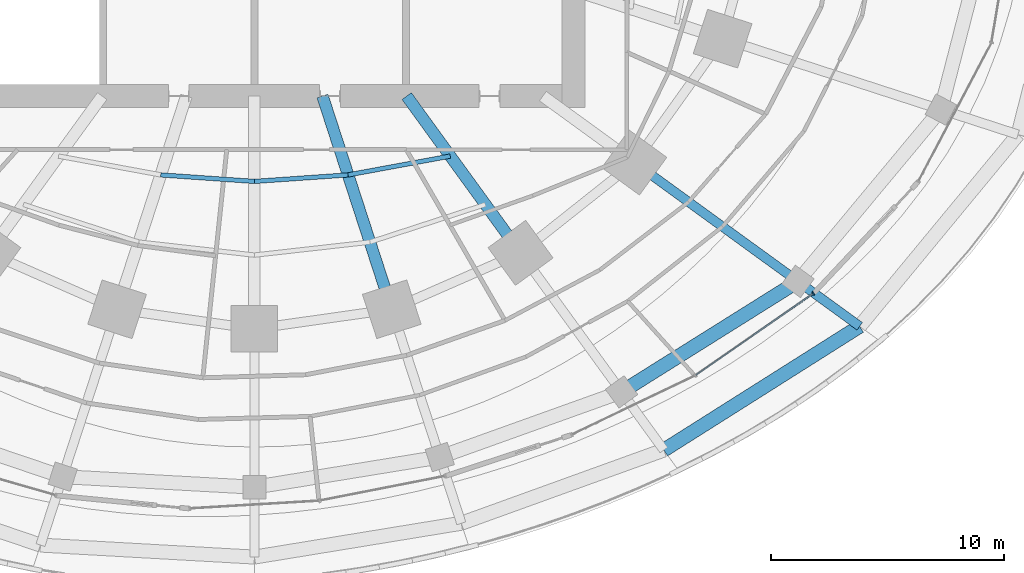
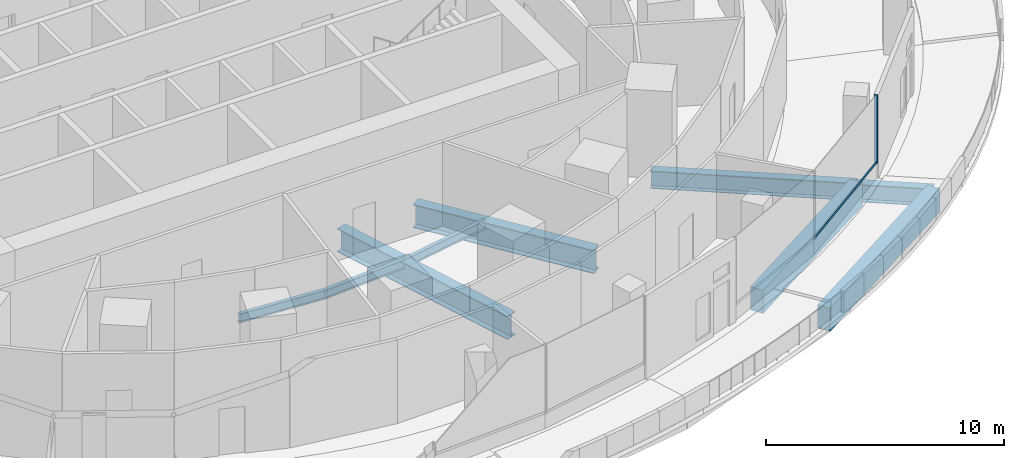
# One storey, part 6 of 26: 9 beams, 2 members, 1 element without a shape of its own.
"""IFC4 building model written with IfcOpenShell, lengths in metres."""

from ifc_helpers import new_model, si_unit, direction, frame, origin, origin_2d, place, context, subcontext, project, spatial, rectangle, i_section, extrude, material, material_profile, profile_set, type_object, element, aggregate, save


model = new_model("IFC4")

# Units and contexts
model_context = context("Model", 3, precision=1e-05, world=origin(), true_north=direction((0.0, 1.0)))
body_context = subcontext(model_context, "Body", "Model", "MODEL_VIEW")
ifc_project = project(units=[si_unit("LENGTHUNIT", "METRE"), si_unit("AREAUNIT", "SQUARE_METRE"), si_unit("VOLUMEUNIT", "CUBIC_METRE"), si_unit("PLANEANGLEUNIT", "RADIAN"), si_unit("MASSUNIT", "GRAM", prefix="KILO")], contexts=[model_context])

# Site, building, storey
site_placement = place(None, origin())
site = spatial("IfcSite", under=ifc_project, at=site_placement, CompositionType="ELEMENT")
building_placement = place(site_placement, origin())
building = spatial("IfcBuilding", under=site, at=building_placement, Name="Marramba Exchange Tower", CompositionType="ELEMENT")
storey_placement = place(building_placement, frame((0.0, 0.0, 15.10009765625)))
storey = spatial("IfcBuildingStorey", under=building, at=storey_placement, Name="L03", CompositionType="ELEMENT", Elevation=15.10009765625)

# Beams
ifc_material_1 = material(Name="Concrete N50", Category="concrete")
ifc_material_profile_1 = material_profile(ifc_material_1, rectangle(XDim=0.60009765625, YDim=1.199951171875, at=origin_2d()), Name="RC 600x1200")
ifc_profile_set_1 = profile_set([ifc_material_profile_1], Name="Concrete N50")
beam_type_1 = type_object("IfcBeamType", Name="Edge beam RC 600x1200 N50", PredefinedType="SPANDREL", material=ifc_profile_set_1)
beam_1_placement = place(storey_placement, frame((17.585205078125, -24.203857421875, -0.85009765625), z_axis=(0.845320367889, 0.534259745473, 0.0), x_axis=(-0.534259745473, 0.845320367889, 0.0)))
element("IfcBeam", 1, at=beam_1_placement, inside=storey, type_object=beam_type_1, Name="Edge beam L03 P2C18", PredefinedType="SPANDREL", context=body_context, shape_type="SweptSolid", body=[
    extrude(rectangle(XDim=0.60009765625, YDim=1.199951171875, at=origin_2d()), origin(), (0.0, 0.0, 1.0), 9.950439453125),
])
beam_2_placement = place(storey_placement, frame((15.769775390625, -21.705078125, -0.800048828125), z_axis=(0.847342315291, 0.531047079567, 0.0), x_axis=(-0.531047079567, 0.847342315291, 0.0)))
element("IfcBeam", 2, at=beam_2_placement, inside=storey, type_object=beam_type_1, Name="Edge beam L03 P3C18", PredefinedType="SPANDREL", context=body_context, shape_type="SweptSolid", body=[
    extrude(rectangle(XDim=0.60009765625, YDim=1.199951171875, at=origin_2d()), origin(), (0.0, 0.0, 1.0), 8.936767578125),
])
ifc_material_2 = material(Name="Steel AS/NZS 3679.1 grade 300", Category="steel")
ifc_material_profile_2 = material_profile(ifc_material_2, i_section(OverallWidth=0.18994140625, OverallDepth=0.4541015625, WebThickness=0.008544921875, FlangeThickness=0.0126953125, FilletRadius=0.011474609375, at=origin_2d()), Name="460UB67.1")
ifc_profile_set_2 = profile_set([ifc_material_profile_2], Name="Steel AS/NZS 3679.1 grade 300")
beam_type_2 = type_object("IfcBeamType", Name="Floor joist 460UB67.1", PredefinedType="JOIST", material=ifc_profile_set_2)
for number, where, z_axis, x_axis, name in (
    (3, (-4.0244140625, -12.3857421875, -0.427001953125), (0.99759625901, -0.069294328838, 0.0), (0.069294328838, 0.99759625901, 0.0), "Joist L03 bay 15 row 1"),
    (4, (0.0, -12.665283203125, -0.427001953125), (0.99759625901, 0.069294328838, 0.0), (-0.069294328838, 0.99759625901, 0.0), "Joist L03 bay 16 row 1"),
):
    element("IfcBeam", number, at=place(storey_placement, frame(where, z_axis=z_axis, x_axis=x_axis)), inside=storey, type_object=beam_type_2, Name=name, PredefinedType="JOIST", context=body_context, shape_type="SweptSolid", body=[
        extrude(i_section(OverallWidth=0.18994140625, OverallDepth=0.4541015625, WebThickness=0.008544921875, FlangeThickness=0.0126953125, FilletRadius=0.011474609375, at=origin_2d()), origin(), (0.0, 0.0, 1.0), 4.0341796875),
    ])
beam_3_placement = place(storey_placement, frame((4.0244140625, -12.3857421875, -0.427001953125), z_axis=(0.983455754421, 0.181148500119, 0.0), x_axis=(-0.181148500119, 0.983455754421, 0.0)))
element("IfcBeam", 5, at=beam_3_placement, inside=storey, type_object=beam_type_2, Name="Joist L03 bay 17 row 1", PredefinedType="JOIST", context=body_context, shape_type="SweptSolid", body=[
    extrude(i_section(OverallWidth=0.18994140625, OverallDepth=0.4541015625, WebThickness=0.008544921875, FlangeThickness=0.0126953125, FilletRadius=0.011474609375, at=origin_2d()), origin(), (0.0, 0.0, 1.0), 4.4609375),
])

# Curtain wall, members
ifc_material_3 = material(Name="Aluminium framing, bronze anodised", Category="aluminium")
curtain_wall_type = type_object("IfcCurtainWallType", Name="Podium ribbon curtain wall", PredefinedType="USERDEFINED", material=ifc_material_3)
curtain_wall_placement = place(storey_placement, origin())
curtain_wall = element("IfcCurtainWall", 6, at=curtain_wall_placement, inside=storey, type_object=curtain_wall_type, Name="Curtain wall CW2 L03 F26-F27", ObjectType="RIBBON CURTAIN WALL", PredefinedType="USERDEFINED")
ifc_material_4 = material(Name="Aluminium mullion, bronze anodised", Category="aluminium")
ifc_material_profile_3 = material_profile(ifc_material_4, rectangle(XDim=0.159912109375, YDim=0.06005859375, at=origin_2d()), Name="CW2 mullion 60x160")
ifc_profile_set_3 = profile_set([ifc_material_profile_3], Name="Aluminium mullion, bronze anodised")
member_type_1 = type_object("IfcMemberType", Name="Podium ribbon curtain wall mullion", PredefinedType="MULLION", material=ifc_profile_set_3)
member_1_placement = place(storey_placement, frame((24.00537109375, -17.475830078125, 0.7998046875), z_axis=(0.0, 0.0, 1.0), x_axis=(-0.570586233321, 0.821237694181, 0.0)))
member_1 = element("IfcMember", 7, at=member_1_placement, type_object=member_type_1, Name="CW2 mullion 2", PredefinedType="MULLION", context=body_context, shape_type="SweptSolid", body=[
    extrude(rectangle(XDim=0.159912109375, YDim=0.06005859375, at=origin_2d()), origin(), (0.0, 0.0, 1.0), 3.5),
])
ifc_material_5 = material(Name="Aluminium transom, bronze anodised", Category="aluminium")
ifc_material_profile_4 = material_profile(ifc_material_5, rectangle(XDim=0.06005859375, YDim=0.1201171875, at=origin_2d()), Name="CW2 transom 60x120")
ifc_profile_set_4 = profile_set([ifc_material_profile_4], Name="Aluminium transom, bronze anodised")
member_type_2 = type_object("IfcMemberType", Name="Podium ribbon curtain wall transom", PredefinedType="USERDEFINED", material=ifc_profile_set_4)
member_2_placement = place(storey_placement, frame((18.96728515625, -20.976318359375, 0.829833984375), z_axis=(0.821227856491, 0.570600392326, 0.0), x_axis=(-0.570600392326, 0.821227856491, 0.0)))
member_2 = element("IfcMember", 8, at=member_2_placement, type_object=member_type_2, Name="CW2 sill transom", ObjectType="TRANSOM", PredefinedType="USERDEFINED", context=body_context, shape_type="SweptSolid", body=[
    extrude(rectangle(XDim=0.06005859375, YDim=0.1201171875, at=origin_2d()), origin(), (0.0, 0.0, 1.0), 6.104736328125),
])
aggregate(curtain_wall, [member_1, member_2])

# Beams
ifc_material_6 = material(Name="Steel AS/NZS 3679.2 grade 300", Category="steel")
ifc_material_profile_5 = material_profile(ifc_material_6, i_section(OverallWidth=0.5, OverallDepth=1.199951171875, WebThickness=0.01611328125, FlangeThickness=0.0400390625, at=origin_2d()), Name="1200WB455")
ifc_profile_set_5 = profile_set([ifc_material_profile_5], Name="Steel AS/NZS 3679.2 grade 300")
beam_type_3 = type_object("IfcBeamType", Name="Radial girder 1200WB455", PredefinedType="BEAM", material=ifc_profile_set_5)
beam_4_placement = place(storey_placement, frame((2.92431640625, -9.0, -0.800048828125), z_axis=(0.309022428985, -0.951054750466, 0.0), x_axis=(0.951054750466, 0.309022428985, 0.0)))
element("IfcBeam", 9, at=beam_4_placement, inside=storey, type_object=beam_type_3, Name="Radial girder L03 TC17", PredefinedType="BEAM", context=body_context, shape_type="SweptSolid", body=[
    extrude(i_section(OverallWidth=0.5, OverallDepth=1.199951171875, WebThickness=0.01611328125, FlangeThickness=0.0400390625, at=origin_2d()), origin(), (0.0, 0.0, 1.0), 9.628173828125),
])
beam_5_placement = place(storey_placement, frame((6.538818359375, -9.0, -0.800048828125), z_axis=(0.587787877172, -0.809015087282, 0.0), x_axis=(0.809015087282, 0.587787877172, 0.0)))
element("IfcBeam", 10, at=beam_5_placement, inside=storey, type_object=beam_type_3, Name="Radial girder L03 TC18", PredefinedType="BEAM", context=body_context, shape_type="SweptSolid", body=[
    extrude(i_section(OverallWidth=0.5, OverallDepth=1.199951171875, WebThickness=0.01611328125, FlangeThickness=0.0400390625, at=origin_2d()), origin(), (0.0, 0.0, 1.0), 8.322021484375),
])
ifc_material_profile_6 = material_profile(ifc_material_6, i_section(OverallWidth=0.39990234375, OverallDepth=0.89990234375, WebThickness=0.01611328125, FlangeThickness=0.031982421875, at=origin_2d()), Name="900WB282")
ifc_profile_set_6 = profile_set([ifc_material_profile_6], Name="Steel AS/NZS 3679.2 grade 300")
beam_type_4 = type_object("IfcBeamType", Name="Radial girder 900WB282", PredefinedType="BEAM", material=ifc_profile_set_6)
beam_6_placement = place(storey_placement, frame((25.99658203125, -18.8876953125, -0.7001953125), z_axis=(-0.809015945709, 0.587786695655, 0.0), x_axis=(-0.587786695655, -0.809015945709, 0.0)))
element("IfcBeam", 11, at=beam_6_placement, inside=storey, type_object=beam_type_4, Name="Radial girder L03 P2C19", PredefinedType="BEAM", context=body_context, shape_type="SweptSolid", body=[
    extrude(i_section(OverallWidth=0.39990234375, OverallDepth=0.89990234375, WebThickness=0.01611328125, FlangeThickness=0.031982421875, at=origin_2d()), origin(), (0.0, 0.0, 1.0), 3.281005859375),
])
beam_7_placement = place(storey_placement, frame((23.34228515625, -16.959228515625, -0.650146484375), z_axis=(-0.809008266699, 0.587797264721, 0.0), x_axis=(-0.587797264721, -0.809008266699, 0.0)))
element("IfcBeam", 12, at=beam_7_placement, inside=storey, type_object=beam_type_4, Name="Radial girder L03 P3C19", PredefinedType="BEAM", context=body_context, shape_type="SweptSolid", body=[
    extrude(i_section(OverallWidth=0.39990234375, OverallDepth=0.89990234375, WebThickness=0.01611328125, FlangeThickness=0.031982421875, at=origin_2d()), origin(), (0.0, 0.0, 1.0), 8.685791015625),
])

save(model, "model.ifc")
